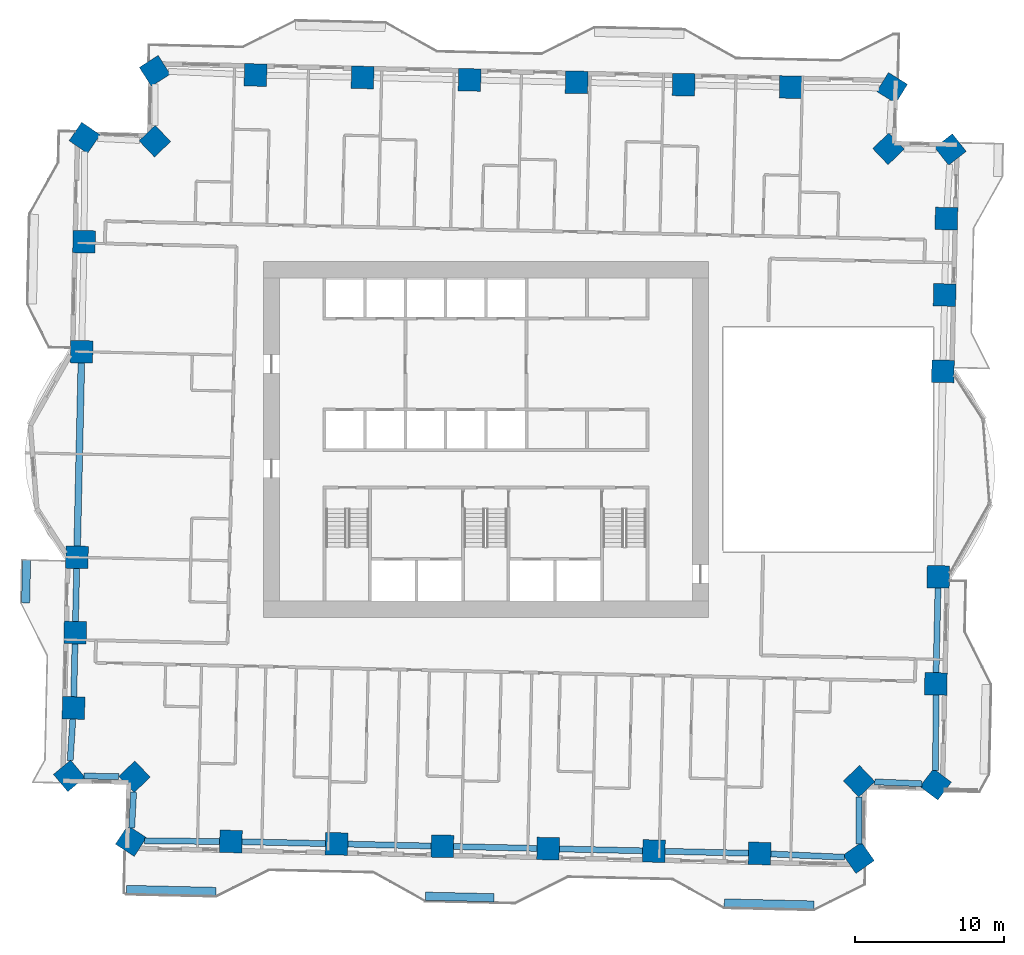
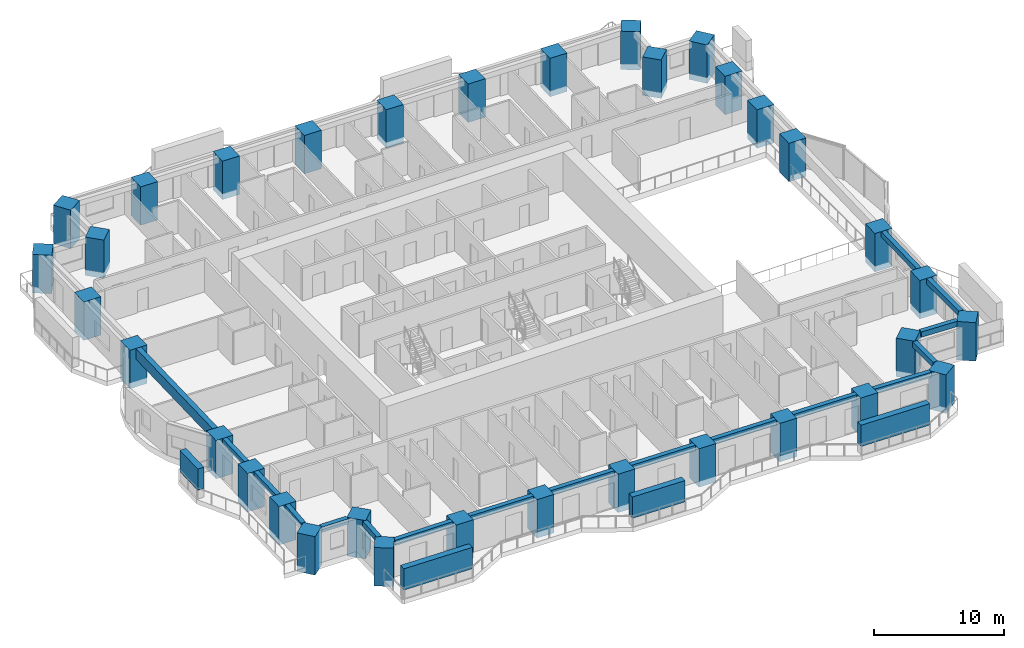
# One storey, part 1 of 20: 34 columns, 17 beams, 4 members.
"""IFC4 building model written with IfcOpenShell, lengths in metres."""

from ifc_helpers import new_model, si_unit, direction, frame, origin, origin_2d, place, context, subcontext, project, spatial, rectangle, extrude, material, material_profile, profile_set, type_object, element, save


model = new_model("IFC4")

# Units and contexts
model_context = context("Model", 3, precision=1e-05, world=origin(), true_north=direction((0.0, 1.0)))
body_context = subcontext(model_context, "Body", "Model", "MODEL_VIEW")
ifc_project = project(units=[si_unit("LENGTHUNIT", "METRE"), si_unit("AREAUNIT", "SQUARE_METRE"), si_unit("VOLUMEUNIT", "CUBIC_METRE"), si_unit("PLANEANGLEUNIT", "RADIAN"), si_unit("MASSUNIT", "GRAM", prefix="KILO")], contexts=[model_context])

# Site, building, storey
site_placement = place(None, origin())
site = spatial("IfcSite", under=ifc_project, at=site_placement, CompositionType="ELEMENT")
building_placement = place(site_placement, origin())
building = spatial("IfcBuilding", under=site, at=building_placement, Name="Mangrove Gate Tower", CompositionType="ELEMENT")
storey_placement = place(building_placement, frame((0.0, 0.0, 60.300048828125)))
storey = spatial("IfcBuildingStorey", under=building, at=storey_placement, Name="L14", CompositionType="ELEMENT", Elevation=60.300048828125)

# Columns
ifc_material_1 = material(Name="Concrete C70/85", Category="concrete")
ifc_material_profile_1 = material_profile(ifc_material_1, rectangle(XDim=1.5, YDim=1.5, at=origin_2d()))
ifc_profile_set_1 = profile_set([ifc_material_profile_1], Name="Concrete C70/85")
column_type = type_object("IfcColumnType", Name="Column RC 1500x1500 C70/85", PredefinedType="COLUMN", material=ifc_profile_set_1)
for number, where, z_axis, x_axis, name in (
    (1, (-27.3662109375, -7.8701171875, -0.550048828125), (0.0, 0.0, 1.0), (-0.022722615033, -0.999741808051, 0.0), "Column L14 W05"),
    (2, (-27.481201171875, -12.909912109375, -0.550048828125), (0.0, 0.0, 1.0), (-0.022712390043, -0.999742040398, 0.0), "Column L14 W06"),
    (3, (-27.59521484375, -17.949951171875, -0.550048828125), (0.0, 0.0, 1.0), (-0.022710139149, -0.999742091532, 0.0), "Column L14 W07"),
    (4, (-27.8837890625, -22.493896484375, -0.550048828125), (0.0, 0.0, 1.0), (0.640243203999, -0.768172272172, 0.0), "Column L14 W08"),
    (5, (-23.518798828125, -22.5546875, -0.550048828125), (0.0, 0.0, 1.0), (0.691018296422, -0.722837266617, 0.0), "Column L14 W09"),
    (6, (-23.74951171875, -26.84423828125, -0.550048828125), (0.0, 0.0, 1.0), (0.837001319642, -0.547200868893, 0.0), "Column L14 S01"),
    (7, (-17.069091796875, -26.88330078125, -0.550048828125), (0.0, 0.0, 1.0), (0.999742746705, -0.022681278839, 0.0), "Column L14 S02"),
    (8, (-9.993896484375, -27.043212890625, -0.550048828125), (0.0, 0.0, 1.0), (0.999742783124, -0.022679673549, 0.0), "Column L14 S03"),
    (9, (-2.9189453125, -27.2041015625, -0.550048828125), (0.0, 0.0, 1.0), (0.999742783124, -0.022679673549, 0.0), "Column L14 S04"),
    (10, (4.156005859375, -27.3642578125, -0.550048828125), (0.0, 0.0, 1.0), (0.999742746705, -0.022681278839, 0.0), "Column L14 S05"),
    (11, (11.22998046875, -27.525146484375, -0.550048828125), (0.0, 0.0, 1.0), (0.999741142154, -0.022751894086, 0.0), "Column L14 S06"),
    (12, (18.304931640625, -27.686279296875, -0.550048828125), (0.0, 0.0, 1.0), (0.999742783124, -0.022679673549, 0.0), "Column L14 S07"),
    (13, (24.9326171875, -27.981689453125, -0.550048828125), (0.0, 0.0, 1.0), (0.819023244747, 0.573760337218, 0.0), "Column L14 S08"),
    (14, (24.962890625, -22.854736328125, -0.550048828125), (0.0, 0.0, 1.0), (0.722904645442, 0.690947808158, 0.0), "Column L14 E01"),
    (15, (30.082275390625, -23.060791015625, -0.550048828125), (0.0, 0.0, 1.0), (0.605733382364, 0.795667687851, 0.0), "Column L14 E02"),
    (16, (30.09228515625, -16.337890625, -0.550048828125), (0.0, 0.0, 1.0), (0.02268810132, 0.9997425919, 0.0), "Column L14 E03"),
    (17, (30.254150390625, -9.177001953125, -0.550048828125), (0.0, 0.0, 1.0), (0.022664929308, 0.999743117495, 0.0), "Column L14 E04"),
    (18, (30.566162109375, 4.570068359375, -0.550048828125), (0.0, 0.0, 1.0), (0.022694906351, 0.999742437444, 0.0), "Column L14 E05"),
    (19, (30.68212890625, 9.677001953125, -0.550048828125), (0.0, 0.0, 1.0), (0.022708062743, 0.999742138697, 0.0), "Column L14 E06"),
    (20, (30.798095703125, 14.783935546875, -0.550048828125), (0.0, 0.0, 1.0), (0.022710278739, 0.999742088361, 0.0), "Column L14 E07"),
    (21, (31.073974609375, 19.409912109375, -0.550048828125), (0.0, 0.0, 1.0), (-0.617420768596, 0.786633074887, 0.0), "Column L14 E08"),
    (22, (26.9228515625, 19.450927734375, -0.550048828125), (0.0, 0.0, 1.0), (-0.69084800058, 0.723000027728, 0.0), "Column L14 E09"),
    (23, (27.166015625, 23.52978515625, -0.550048828125), (0.0, 0.0, 1.0), (-0.85094209372, 0.525259510276, 0.0), "Column L14 N01"),
    (24, (20.383056640625, 23.580078125, -0.550048828125), (0.0, 0.0, 1.0), (-0.999742555864, 0.022689689161, 0.0), "Column L14 N02"),
    (25, (13.222900390625, 23.7431640625, -0.550048828125), (0.0, 0.0, 1.0), (-0.9997425919, 0.02268810132, 0.0), "Column L14 N03"),
    (26, (6.06201171875, 23.9052734375, -0.550048828125), (0.0, 0.0, 1.0), (-0.9997425919, 0.02268810132, 0.0), "Column L14 N04"),
    (27, (-1.097900390625, 24.068115234375, -0.550048828125), (0.0, 0.0, 1.0), (-0.9997425919, 0.02268810132, 0.0), "Column L14 N05"),
    (28, (-8.259033203125, 24.230224609375, -0.550048828125), (0.0, 0.0, 1.0), (-0.9997425919, 0.02268810132, 0.0), "Column L14 N06"),
    (29, (-15.4189453125, 24.393310546875, -0.550048828125), (0.0, 0.0, 1.0), (-0.9997425919, 0.02268810132, 0.0), "Column L14 N07"),
    (30, (-22.15966796875, 24.672607421875, -0.550048828125), (0.0, 0.0, 1.0), (-0.843102323493, -0.537753170256, 0.0), "Column L14 N08"),
    (31, (-22.15380859375, 19.9638671875, -0.550048828125), (0.0, 0.0, 1.0), (-0.722910554479, -0.69094162577, 0.0), "Column L14 W01"),
    (32, (-26.85107421875, 20.191162109375, -0.550048828125), (0.0, 0.0, 1.0), (-0.564977588075, -0.825106250718, 0.0), "Column L14 W02"),
    (33, (-26.88720703125, 13.238037109375, -0.550048828125), (0.0, 0.0, 1.0), (-0.022682831782, -0.999742711472, 0.0), "Column L14 W03"),
    (34, (-27.05419921875, 5.876953125, -0.550048828125), (0.0, 0.0, 1.0), (-0.022686984597, -0.999742617242, 0.0), "Column L14 W04"),
):
    element("IfcColumn", number, at=place(storey_placement, frame(where, z_axis=z_axis, x_axis=x_axis)), inside=storey, type_object=column_type, Name=name, PredefinedType="COLUMN", context=body_context, shape_type="SweptSolid", body=[
        extrude(rectangle(XDim=1.5, YDim=1.5, at=origin_2d()), origin(), (0.0, 0.0, 1.0), 3.60009765625),
    ])

# Members
ifc_material_2 = material(Name="Planting on aluminium trellis", Category="aluminium")
ifc_material_profile_2 = material_profile(ifc_material_2, rectangle(XDim=0.550048828125, YDim=2.0, at=origin_2d()))
ifc_profile_set_2 = profile_set([ifc_material_profile_2], Name="Planting on aluminium trellis")
member_type = type_object("IfcMemberType", Name="Balcony greenery screen 550x2000", PredefinedType="USERDEFINED", material=ifc_profile_set_2)
member_1_placement = place(storey_placement, frame((-30.802001953125, -10.9169921875, 1.800048828125), z_axis=(0.022929749512, 0.99973707873, 0.0), x_axis=(-0.99973707873, 0.022929749512, 0.0)))
element("IfcMember", 35, at=member_1_placement, inside=storey, type_object=member_type, Name="GREEN SCREEN L14 W1.1", ObjectType="PLANTING", PredefinedType="USERDEFINED", context=body_context, shape_type="SweptSolid", body=[
    extrude(rectangle(XDim=0.550048828125, YDim=2.0, at=origin_2d()), origin(), (0.0, 0.0, 1.0), 2.874755859375),
])
member_2_placement = place(storey_placement, frame((-24.052001953125, -30.090087890625, 1.800048828125), z_axis=(0.999743094499, -0.022665943652, 0.0), x_axis=(0.022665943652, 0.999743094499, 0.0)))
element("IfcMember", 36, at=member_2_placement, inside=storey, type_object=member_type, Name="GREEN SCREEN L14 S0.1", ObjectType="PLANTING", PredefinedType="USERDEFINED", context=body_context, shape_type="SweptSolid", body=[
    extrude(rectangle(XDim=0.550048828125, YDim=2.0, at=origin_2d()), origin(), (0.0, 0.0, 1.0), 5.99951171875),
])
member_3_placement = place(storey_placement, frame((-4.056884765625, -30.5439453125, 1.800048828125), z_axis=(0.999744377441, -0.022609285172, 0.0), x_axis=(0.022609285172, 0.999744377441, 0.0)))
element("IfcMember", 37, at=member_3_placement, inside=storey, type_object=member_type, Name="GREEN SCREEN L14 S0.2", ObjectType="PLANTING", PredefinedType="USERDEFINED", context=body_context, shape_type="SweptSolid", body=[
    extrude(rectangle(XDim=0.550048828125, YDim=2.0, at=origin_2d()), origin(), (0.0, 0.0, 1.0), 4.60009765625),
])
member_4_placement = place(storey_placement, frame((15.93798828125, -30.998046875, 1.800048828125), z_axis=(0.999743094499, -0.022665943652, 0.0), x_axis=(0.022665943652, 0.999743094499, 0.0)))
element("IfcMember", 38, at=member_4_placement, inside=storey, type_object=member_type, Name="GREEN SCREEN L14 S1.1", ObjectType="PLANTING", PredefinedType="USERDEFINED", context=body_context, shape_type="SweptSolid", body=[
    extrude(rectangle(XDim=0.550048828125, YDim=2.0, at=origin_2d()), origin(), (0.0, 0.0, 1.0), 5.99951171875),
])

# Beams
ifc_material_3 = material(Name="Concrete C50/60", Category="concrete")
ifc_material_profile_3 = material_profile(ifc_material_3, rectangle(XDim=0.39990234375, YDim=0.5, at=origin_2d()))
ifc_profile_set_3 = profile_set([ifc_material_profile_3], Name="Concrete C50/60")
beam_type_1 = type_object("IfcBeamType", Name="Edge beam RC 400x500 C50/60", PredefinedType="BEAM", material=ifc_profile_set_3)
for number, where, z_axis, x_axis, name in (
    (39, (-27.38330078125, -8.619873046875, 2.800048828125), (-0.02282006784, -0.999739588345, 0.0), (0.999739588345, -0.02282006784, 0.0), "Edge beam L14 00"),
    (40, (-27.498046875, -13.659912109375, 2.800048828125), (-0.022613345678, -0.999744285604, 0.0), (0.999744285604, -0.022613345678, 0.0), "Edge beam L14 01"),
):
    element("IfcBeam", number, at=place(storey_placement, frame(where, z_axis=z_axis, x_axis=x_axis)), inside=storey, type_object=beam_type_1, Name=name, PredefinedType="BEAM", context=body_context, shape_type="SweptSolid", body=[
        extrude(rectangle(XDim=0.39990234375, YDim=0.5, at=origin_2d()), origin(), (0.0, 0.0, 1.0), 3.541259765625),
    ])
beam_1_placement = place(storey_placement, frame((-27.642822265625, -18.69921875, 2.800048828125), z_axis=(-0.063388167278, -0.997988947959, 0.0), x_axis=(0.997988947959, -0.063388167278, 0.0)))
element("IfcBeam", 41, at=beam_1_placement, inside=storey, type_object=beam_type_1, Name="Edge beam L14 02", PredefinedType="BEAM", context=body_context, shape_type="SweptSolid", body=[
    extrude(rectangle(XDim=0.39990234375, YDim=0.5, at=origin_2d()), origin(), (0.0, 0.0, 1.0), 2.769287109375),
])
beam_2_placement = place(storey_placement, frame((-26.89599609375, -22.507568359375, 2.800048828125), z_axis=(0.999902528014, -0.013961893567, 0.0), x_axis=(0.013961893567, 0.999902528014, 0.0)))
element("IfcBeam", 42, at=beam_2_placement, inside=storey, type_object=beam_type_1, Name="Edge beam L14 03", PredefinedType="BEAM", context=body_context, shape_type="SweptSolid", body=[
    extrude(rectangle(XDim=0.39990234375, YDim=0.5, at=origin_2d()), origin(), (0.0, 0.0, 1.0), 2.32568359375),
])
beam_3_placement = place(storey_placement, frame((-23.57421875, -23.582275390625, 2.800048828125), z_axis=(-0.053717540304, -0.99855617061, 0.0), x_axis=(0.99855617061, -0.053717540304, 0.0)))
element("IfcBeam", 43, at=beam_3_placement, inside=storey, type_object=beam_type_1, Name="Edge beam L14 04", PredefinedType="BEAM", context=body_context, shape_type="SweptSolid", body=[
    extrude(rectangle(XDim=0.39990234375, YDim=0.5, at=origin_2d()), origin(), (0.0, 0.0, 1.0), 2.399658203125),
])
beam_4_placement = place(storey_placement, frame((-22.85693359375, -26.849365234375, 2.800048828125), z_axis=(0.99998280823, -0.005863722791, 0.0), x_axis=(0.005863722791, 0.99998280823, 0.0)))
element("IfcBeam", 44, at=beam_4_placement, inside=storey, type_object=beam_type_1, Name="Edge beam L14 05", PredefinedType="BEAM", context=body_context, shape_type="SweptSolid", body=[
    extrude(rectangle(XDim=0.39990234375, YDim=0.5, at=origin_2d()), origin(), (0.0, 0.0, 1.0), 5.037841796875),
])
beam_5_placement = place(storey_placement, frame((-16.319091796875, -26.900146484375, 2.800048828125), z_axis=(0.99974481034, -0.022590134968, 0.0), x_axis=(0.022590134968, 0.99974481034, 0.0)))
element("IfcBeam", 45, at=beam_5_placement, inside=storey, type_object=beam_type_1, Name="Edge beam L14 06", PredefinedType="BEAM", context=body_context, shape_type="SweptSolid", body=[
    extrude(rectangle(XDim=0.39990234375, YDim=0.5, at=origin_2d()), origin(), (0.0, 0.0, 1.0), 5.57666015625),
])
for number, where, z_axis, x_axis, name in (
    (46, (-9.244140625, -27.060302734375, 2.800048828125), (0.999741858145, -0.022720410929, 0.0), (0.022720410929, 0.999741858145, 0.0), "Edge beam L14 07"),
    (47, (-2.169189453125, -27.22119140625, 2.800048828125), (0.99974483268, -0.022589146283, 0.0), (0.022589146283, 0.99974483268, 0.0), "Edge beam L14 08"),
):
    element("IfcBeam", number, at=place(storey_placement, frame(where, z_axis=z_axis, x_axis=x_axis)), inside=storey, type_object=beam_type_1, Name=name, PredefinedType="BEAM", context=body_context, shape_type="SweptSolid", body=[
        extrude(rectangle(XDim=0.39990234375, YDim=0.5, at=origin_2d()), origin(), (0.0, 0.0, 1.0), 5.576904296875),
    ])
beam_6_placement = place(storey_placement, frame((4.90576171875, -27.38134765625, 2.800048828125), z_axis=(0.999741767727, -0.022724389149, 0.0), x_axis=(0.022724389149, 0.999741767727, 0.0)))
element("IfcBeam", 48, at=beam_6_placement, inside=storey, type_object=beam_type_1, Name="Edge beam L14 09", PredefinedType="BEAM", context=body_context, shape_type="SweptSolid", body=[
    extrude(rectangle(XDim=0.39990234375, YDim=0.5, at=origin_2d()), origin(), (0.0, 0.0, 1.0), 5.575927734375),
])
beam_7_placement = place(storey_placement, frame((11.97998046875, -27.542236328125, 2.800048828125), z_axis=(0.99974084012, -0.022765161887, 0.0), x_axis=(0.022765161887, 0.99974084012, 0.0)))
element("IfcBeam", 49, at=beam_7_placement, inside=storey, type_object=beam_type_1, Name="Edge beam L14 10", PredefinedType="BEAM", context=body_context, shape_type="SweptSolid", body=[
    extrude(rectangle(XDim=0.39990234375, YDim=0.5, at=origin_2d()), origin(), (0.0, 0.0, 1.0), 5.57666015625),
])
beam_8_placement = place(storey_placement, frame((19.054443359375, -27.7197265625, 2.800048828125), z_axis=(0.999007314137, -0.044546451056, 0.0), x_axis=(0.044546451056, 0.999007314137, 0.0)))
element("IfcBeam", 50, at=beam_8_placement, inside=storey, type_object=beam_type_1, Name="Edge beam L14 11", PredefinedType="BEAM", context=body_context, shape_type="SweptSolid", body=[
    extrude(rectangle(XDim=0.39990234375, YDim=0.5, at=origin_2d()), origin(), (0.0, 0.0, 1.0), 4.93798828125),
])
beam_9_placement = place(storey_placement, frame((24.93798828125, -27.062255859375, 2.800048828125), z_axis=(0.005864096702, 0.999982806037, 0.0), x_axis=(-0.999982806037, 0.005864096702, 0.0)))
element("IfcBeam", 51, at=beam_9_placement, inside=storey, type_object=beam_type_1, Name="Edge beam L14 12", PredefinedType="BEAM", context=body_context, shape_type="SweptSolid", body=[
    extrude(rectangle(XDim=0.39990234375, YDim=0.5, at=origin_2d()), origin(), (0.0, 0.0, 1.0), 3.1640625),
])
beam_10_placement = place(storey_placement, frame((26.00439453125, -22.896728515625, 2.800048828125), z_axis=(0.999192559953, -0.040177458033, 0.0), x_axis=(0.040177458033, 0.999192559953, 0.0)))
element("IfcBeam", 52, at=beam_10_placement, inside=storey, type_object=beam_type_1, Name="Edge beam L14 13", PredefinedType="BEAM", context=body_context, shape_type="SweptSolid", body=[
    extrude(rectangle(XDim=0.39990234375, YDim=0.5, at=origin_2d()), origin(), (0.0, 0.0, 1.0), 3.165771484375),
])
beam_11_placement = place(storey_placement, frame((30.083740234375, -22.119140625, 2.800048828125), z_axis=(0.001455814442, 0.999998940302, 0.0), x_axis=(-0.999998940302, 0.001455814442, 0.0)))
element("IfcBeam", 53, at=beam_11_placement, inside=storey, type_object=beam_type_1, Name="Edge beam L14 14", PredefinedType="BEAM", context=body_context, shape_type="SweptSolid", body=[
    extrude(rectangle(XDim=0.39990234375, YDim=0.5, at=origin_2d()), origin(), (0.0, 0.0, 1.0), 5.031005859375),
])
beam_12_placement = place(storey_placement, frame((30.109130859375, -15.588134765625, 2.800048828125), z_axis=(0.022634244756, 0.999743812666, 0.0), x_axis=(-0.999743812666, 0.022634244756, 0.0)))
element("IfcBeam", 54, at=beam_12_placement, inside=storey, type_object=beam_type_1, Name="Edge beam L14 15", PredefinedType="BEAM", context=body_context, shape_type="SweptSolid", body=[
    extrude(rectangle(XDim=0.39990234375, YDim=0.5, at=origin_2d()), origin(), (0.0, 0.0, 1.0), 5.662841796875),
])
ifc_material_4 = material(Name="Concrete C50/60", Category="concrete")
ifc_material_profile_4 = material_profile(ifc_material_4, rectangle(XDim=0.449951171875, YDim=1.0, at=origin_2d()))
ifc_profile_set_4 = profile_set([ifc_material_profile_4], Name="Concrete C50/60")
beam_type_2 = type_object("IfcBeamType", Name="Edge beam RC 450x1000 C50/60", PredefinedType="BEAM", material=ifc_profile_set_4)
beam_13_placement = place(storey_placement, frame((-27.0712890625, 5.127197265625, 2.550048828125), z_axis=(-0.022679304231, -0.999742791502, 0.0), x_axis=(0.999742791502, -0.022679304231, 0.0)))
element("IfcBeam", 55, at=beam_13_placement, inside=storey, type_object=beam_type_2, Name="Edge beam L14 33", PredefinedType="BEAM", context=body_context, shape_type="SweptSolid", body=[
    extrude(rectangle(XDim=0.449951171875, YDim=1.0, at=origin_2d()), origin(), (0.0, 0.0, 1.0), 12.25048828125),
])

save(model, "model.ifc")
